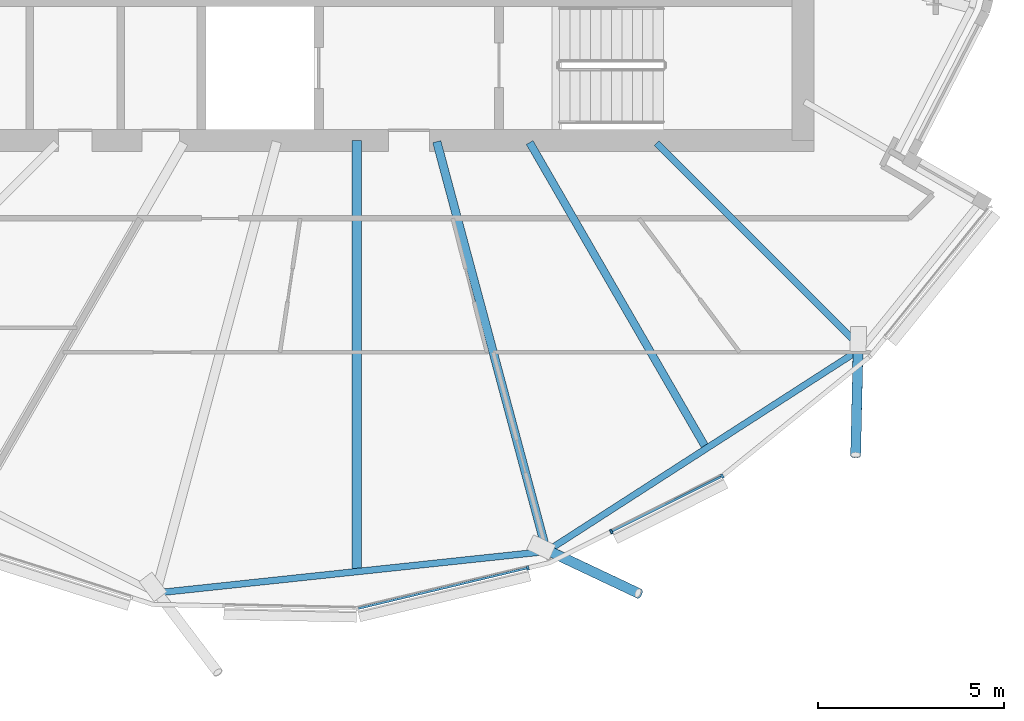
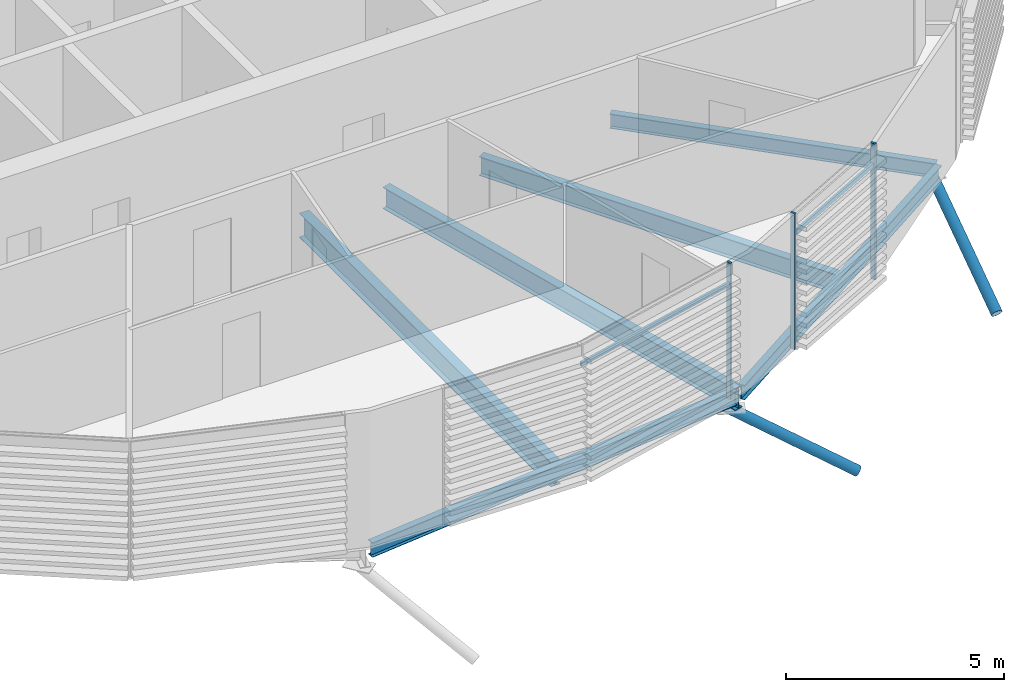
# One storey, part 13 of 36: 7 members, 6 beams, 1 element without a shape of its own.
"""IFC4 building model written with IfcOpenShell, lengths in metres."""

from ifc_helpers import new_model, si_unit, direction, frame, origin, origin_2d, place, context, subcontext, project, spatial, rectangle, hollow_circle, i_section, extrude, clip, halfspace, material, material_profile, profile_set, type_object, element, aggregate, save


model = new_model("IFC4")

# Units and contexts
model_context = context("Model", 3, precision=1e-05, world=origin(), true_north=direction((0.0, 1.0)))
body_context = subcontext(model_context, "Body", "Model", "MODEL_VIEW")
ifc_project = project(units=[si_unit("LENGTHUNIT", "METRE"), si_unit("AREAUNIT", "SQUARE_METRE"), si_unit("VOLUMEUNIT", "CUBIC_METRE"), si_unit("PLANEANGLEUNIT", "RADIAN"), si_unit("MASSUNIT", "GRAM", prefix="KILO")], contexts=[model_context])

# Site, building, storey
site_placement = place(None, origin())
site = spatial("IfcSite", under=ifc_project, at=site_placement, CompositionType="ELEMENT")
building_placement = place(site_placement, origin())
building = spatial("IfcBuilding", under=site, at=building_placement, Name="Rimbun Link Towers", CompositionType="ELEMENT")
storey_placement = place(building_placement, frame((0.0, 0.0, 189.300048828125)))
storey = spatial("IfcBuildingStorey", under=building, at=storey_placement, Name="L46", CompositionType="ELEMENT", Elevation=189.300048828125)

# Curtain wall, members
ifc_material_1 = material(Name="Aluminium 6063-T6 and low-iron glass", Category="aluminium")
curtain_wall_type = type_object("IfcCurtainWallType", Name="CW1-Z3 unitised vision wall (zone 3)", PredefinedType="NOTDEFINED", material=ifc_material_1)
curtain_wall_placement = place(storey_placement, origin())
curtain_wall = element("IfcCurtainWall", 1, at=curtain_wall_placement, inside=storey, type_object=curtain_wall_type, Name="CW1 L46 T2", PredefinedType="NOTDEFINED")
ifc_material_2 = material(Name="Aluminium 6063-T6", Category="aluminium")
ifc_material_profile_1 = material_profile(ifc_material_2, rectangle(XDim=0.1201171875, YDim=0.06005859375, at=origin_2d()), Name="MULLION 60X120")
ifc_profile_set_1 = profile_set([ifc_material_profile_1], Name="Aluminium 6063-T6")
member_type_1 = type_object("IfcMemberType", Name="CW1 mullion 60X120", PredefinedType="MULLION", material=ifc_profile_set_1)
member_1_placement = place(storey_placement, frame((36.35107421875, -19.495361328125, 0.0), z_axis=(0.0, 0.0, 1.0), x_axis=(0.232596033225, -0.972573434414, 0.0)))
member_1 = element("IfcMember", 2, at=member_1_placement, type_object=member_type_1, Name="CW1 mullion", PredefinedType="MULLION", context=body_context, shape_type="SweptSolid", body=[
    extrude(rectangle(XDim=0.1201171875, YDim=0.06005859375, at=origin_2d()), origin(), (0.0, 0.0, 1.0), 3.800048828125),
])
member_2_placement = place(storey_placement, frame((41.58203125, -17.0234375, 0.0), z_axis=(0.0, 0.0, 1.0), x_axis=(0.542094317248, -0.840317648992, 0.0)))
member_2 = element("IfcMember", 3, at=member_2_placement, type_object=member_type_1, Name="CW1 mullion", PredefinedType="MULLION", context=body_context, shape_type="SweptSolid", body=[
    extrude(rectangle(XDim=0.1201171875, YDim=0.06005859375, at=origin_2d()), origin(), (0.0, 0.0, 1.0), 3.800048828125),
])
member_3_placement = place(storey_placement, frame((38.600830078125, -18.52099609375, 0.0), z_axis=(0.0, 0.0, 1.0), x_axis=(0.448780599884, -0.893641971467, 0.0)))
member_3 = element("IfcMember", 4, at=member_3_placement, type_object=member_type_1, Name="CW1 mullion", PredefinedType="MULLION", context=body_context, shape_type="SweptSolid", body=[
    extrude(rectangle(XDim=0.1201171875, YDim=0.06005859375, at=origin_2d()), origin(), (0.0, 0.0, 1.0), 3.800048828125),
])
ifc_material_3 = material(Name="Aluminium 6063-T6", Category="aluminium")
ifc_material_profile_2 = material_profile(ifc_material_3, rectangle(XDim=0.06005859375, YDim=0.1201171875, at=origin_2d()), Name="TRANSOM 60X120")
ifc_profile_set_2 = profile_set([ifc_material_profile_2], Name="Aluminium 6063-T6")
member_type_2 = type_object("IfcMemberType", Name="CW1 transom 60X120", PredefinedType="USERDEFINED", material=ifc_profile_set_2)
member_4_placement = place(storey_placement, frame((36.321533203125, -19.50048828125, 3.199951171875), z_axis=(-0.972577344747, -0.232579682011, 0.0), x_axis=(0.232579682011, -0.972577344747, 0.0)))
member_4 = element("IfcMember", 5, at=member_4_placement, type_object=member_type_2, Name="CW1 transom", ObjectType="TRANSOM", PredefinedType="USERDEFINED", context=body_context, shape_type="SweptSolid", body=[
    extrude(rectangle(XDim=0.06005859375, YDim=0.1201171875, at=origin_2d()), origin(), (0.0, 0.0, 1.0), 4.656494140625),
])
member_5_placement = place(storey_placement, frame((41.548583984375, -17.038330078125, 3.199951171875), z_axis=(-0.89364927564, -0.44876605503, 0.0), x_axis=(0.44876605503, -0.89364927564, 0.0)))
member_5 = element("IfcMember", 6, at=member_5_placement, type_object=member_type_2, Name="CW1 transom", ObjectType="TRANSOM", PredefinedType="USERDEFINED", context=body_context, shape_type="SweptSolid", body=[
    extrude(rectangle(XDim=0.06005859375, YDim=0.1201171875, at=origin_2d()), origin(), (0.0, 0.0, 1.0), 3.26953125),
])
aggregate(curtain_wall, [member_1, member_2, member_3, member_4, member_5])

# Members
ifc_material_4 = material(Name="Steel S355J2H", Category="steel")
ifc_material_profile_3 = material_profile(ifc_material_4, hollow_circle(Radius=0.136474609375, WallThickness=0.012451171875, at=origin_2d()), Name="CHS 273x12.5")
ifc_profile_set_3 = profile_set([ifc_material_profile_3], Name="Steel S355J2H")
member_type_3 = type_object("IfcMemberType", Name="Floor edge link CHS 273x12.5", PredefinedType="BRACE", material=ifc_profile_set_3)
member_6_placement = place(storey_placement, frame((36.841796875, -19.002685546875, -0.866943359375), z_axis=(0.757658827249, -0.35831518545, -0.545493656578), x_axis=(0.427525108744, 0.904003474215, 0.0)))
element("IfcMember", 7, at=member_6_placement, inside=storey, type_object=member_type_3, Name="Floor edge link T2 L46 16", PredefinedType="BRACE", context=body_context, shape_type="Clipping", body=[
    clip(extrude(hollow_circle(Radius=0.136474609375, WallThickness=0.012451171875, at=origin_2d()), frame((0.0, 0.0, -0.437744140625)), (0.0, 0.0, 1.0), 3.740234375), halfspace(frame((0.0, 0.0, -0.205810546875), z_axis=(0.0, 0.838114950727, -0.545493656578)), False)),
])
member_7_placement = place(storey_placement, frame((45.23681640625, -13.48681640625, -0.671875), z_axis=(-0.019642660965, -0.844150271389, -0.535746661383), x_axis=(0.999729383173, -0.023262854963, 0.0)))
element("IfcMember", 8, at=member_7_placement, inside=storey, type_object=member_type_3, Name="Floor edge link T2 L46 18", PredefinedType="BRACE", context=body_context, shape_type="Clipping", body=[
    clip(extrude(hollow_circle(Radius=0.136474609375, WallThickness=0.012451171875, at=origin_2d()), frame((0.0, 0.0, -0.448974609375)), (0.0, 0.0, 1.0), 3.978759765625), halfspace(frame((0.0, 0.0, -0.211669921875), z_axis=(0.0, 0.844378774494, -0.535746661383)), False)),
])

# Beams
ifc_material_5 = material(Name="Steel S355J2", Category="steel")
ifc_material_profile_4 = material_profile(ifc_material_5, i_section(OverallWidth=0.177978515625, OverallDepth=0.406494140625, WebThickness=0.0078125, FlangeThickness=0.0126953125, at=origin_2d()), Name="UB 406x178x60")
ifc_profile_set_4 = profile_set([ifc_material_profile_4], Name="Steel S355J2")
beam_type_1 = type_object("IfcBeamType", Name="UB 406x178x60", PredefinedType="BEAM", material=ifc_profile_set_4)
beam_1_placement = place(storey_placement, frame((39.813720703125, -8.063720703125, -0.353271484375), z_axis=(0.707106781187, -0.707106781187, 0.0), x_axis=(0.707106781187, 0.707106781187, 0.0)))
element("IfcBeam", 9, at=beam_1_placement, inside=storey, type_object=beam_type_1, Name="Radial beam T2 L46 18", PredefinedType="BEAM", context=body_context, shape_type="SweptSolid", body=[
    extrude(i_section(OverallWidth=0.177978515625, OverallDepth=0.406494140625, WebThickness=0.0078125, FlangeThickness=0.0126953125, at=origin_2d()), origin(), (0.0, 0.0, 1.0), 7.719482421875),
])
beam_2_placement = place(storey_placement, frame((26.481689453125, -20.155517578125, -0.353271484375), z_axis=(0.994377889663, 0.105889624372, 0.0), x_axis=(-0.105889624372, 0.994377889663, 0.0)))
element("IfcBeam", 10, at=beam_2_placement, inside=storey, type_object=beam_type_1, Name="Edge beam T2 L46 14-16", PredefinedType="BEAM", context=body_context, shape_type="SweptSolid", body=[
    extrude(i_section(OverallWidth=0.177978515625, OverallDepth=0.406494140625, WebThickness=0.0078125, FlangeThickness=0.0126953125, at=origin_2d()), origin(), (0.0, 0.0, 1.0), 10.3154296875),
])
beam_3_placement = place(storey_placement, frame((36.9560546875, -18.985595703125, -0.353271484375), z_axis=(0.840619053894, 0.541626814541, 0.0), x_axis=(-0.541626814541, 0.840619053894, 0.0)))
element("IfcBeam", 11, at=beam_3_placement, inside=storey, type_object=beam_type_1, Name="Edge beam T2 L46 16-18", PredefinedType="BEAM", context=body_context, shape_type="SweptSolid", body=[
    extrude(i_section(OverallWidth=0.177978515625, OverallDepth=0.406494140625, WebThickness=0.0078125, FlangeThickness=0.0126953125, at=origin_2d()), origin(), (0.0, 0.0, 1.0), 9.876953125),
])
ifc_material_6 = material(Name="Steel S355J2", Category="steel")
ifc_material_profile_5 = material_profile(ifc_material_6, i_section(OverallWidth=0.209228515625, OverallDepth=0.533203125, WebThickness=0.010009765625, FlangeThickness=0.015625, at=origin_2d()), Name="UB 533x210x92")
ifc_profile_set_5 = profile_set([ifc_material_profile_5], Name="Steel S355J2")
beam_type_2 = type_object("IfcBeamType", Name="UB 533x210x92", PredefinedType="BEAM", material=ifc_profile_set_5)
beam_4_placement = place(storey_placement, frame((36.3994140625, -8.05322265625, -0.41650390625), z_axis=(0.50001657107, -0.866015836261, 0.0), x_axis=(0.866015836261, 0.50001657107, 0.0)))
element("IfcBeam", 12, at=beam_4_placement, inside=storey, type_object=beam_type_2, Name="Radial beam T2 L46 17", PredefinedType="BEAM", context=body_context, shape_type="SweptSolid", body=[
    extrude(i_section(OverallWidth=0.209228515625, OverallDepth=0.533203125, WebThickness=0.010009765625, FlangeThickness=0.015625, at=origin_2d()), origin(), (0.0, 0.0, 1.0), 9.412841796875),
])
ifc_material_7 = material(Name="Steel S355J2", Category="steel")
ifc_material_profile_6 = material_profile(ifc_material_7, i_section(OverallWidth=0.2275390625, OverallDepth=0.6025390625, WebThickness=0.010498046875, FlangeThickness=0.014892578125, at=origin_2d()), Name="UB 610x229x101")
ifc_profile_set_6 = profile_set([ifc_material_profile_6], Name="Steel S355J2")
beam_type_3 = type_object("IfcBeamType", Name="UB 610x229x101", PredefinedType="BEAM", material=ifc_profile_set_6)
beam_5_placement = place(storey_placement, frame((33.901611328125, -8.030517578125, -0.451416015625), z_axis=(0.258839837013, -0.965920254873, 0.0), x_axis=(0.965920254873, 0.258839837013, 0.0)))
element("IfcBeam", 13, at=beam_5_placement, inside=storey, type_object=beam_type_3, Name="Radial beam T2 L46 16", PredefinedType="BEAM", context=body_context, shape_type="SweptSolid", body=[
    extrude(i_section(OverallWidth=0.2275390625, OverallDepth=0.6025390625, WebThickness=0.010498046875, FlangeThickness=0.014892578125, at=origin_2d()), origin(), (0.0, 0.0, 1.0), 11.4091796875),
])
ifc_material_8 = material(Name="Steel S355J2", Category="steel")
ifc_material_profile_7 = material_profile(ifc_material_8, i_section(OverallWidth=0.253662109375, OverallDepth=0.68359375, WebThickness=0.012451171875, FlangeThickness=0.01904296875, at=origin_2d()), Name="UB 686x254x140")
ifc_profile_set_7 = profile_set([ifc_material_profile_7], Name="Steel S355J2")
beam_type_4 = type_object("IfcBeamType", Name="UB 686x254x140", PredefinedType="BEAM", material=ifc_profile_set_7)
beam_6_placement = place(storey_placement, frame((31.75, -8.0009765625, -0.49169921875), z_axis=(0.0, -1.0, 0.0), x_axis=(1.0, 0.0, 0.0)))
element("IfcBeam", 14, at=beam_6_placement, inside=storey, type_object=beam_type_4, Name="Radial beam T2 L46 15", PredefinedType="BEAM", context=body_context, shape_type="SweptSolid", body=[
    extrude(i_section(OverallWidth=0.253662109375, OverallDepth=0.68359375, WebThickness=0.012451171875, FlangeThickness=0.01904296875, at=origin_2d()), origin(), (0.0, 0.0, 1.0), 11.503173828125),
])

save(model, "model.ifc")
